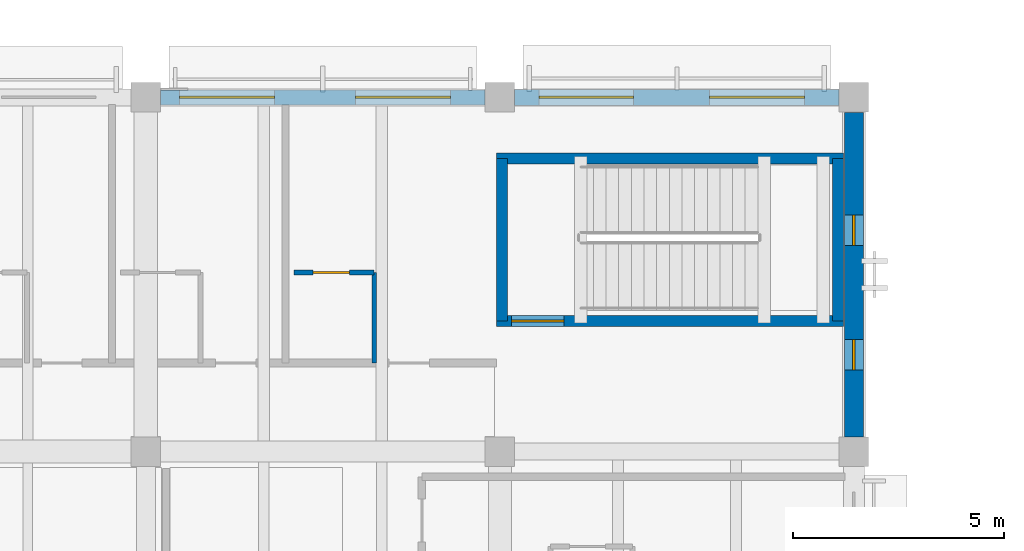
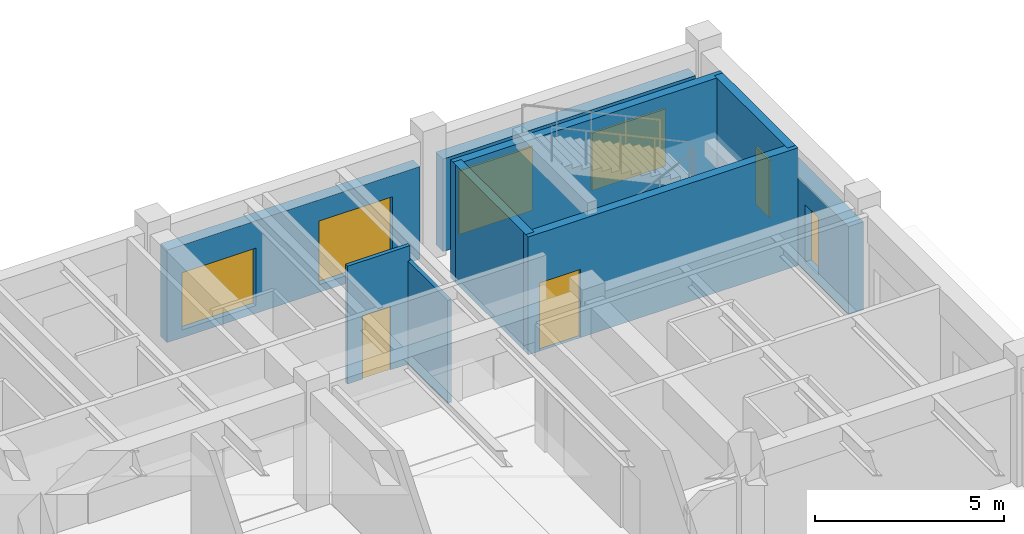
# One storey, part 98 of 132: 9 walls, 6 windows, 2 doors, 8 openings.
"""IFC4 building model written with IfcOpenShell, lengths in metres."""

from ifc_helpers import new_model, si_unit, direction, frame, frame_2d, origin, place, context, subcontext, project, spatial, rectangle, extrude, material, layer, layer_set, type_object, element, fill, save


model = new_model("IFC4")

# Units and contexts
model_context = context("Model", 3, precision=1e-05, world=origin(), true_north=direction((0.0, 1.0)))
body_context = subcontext(model_context, "Body", "Model", "MODEL_VIEW")
ifc_project = project(units=[si_unit("LENGTHUNIT", "METRE"), si_unit("AREAUNIT", "SQUARE_METRE"), si_unit("VOLUMEUNIT", "CUBIC_METRE"), si_unit("PLANEANGLEUNIT", "RADIAN"), si_unit("MASSUNIT", "GRAM", prefix="KILO")], contexts=[model_context])

# Site, building, storey
site_placement = place(None, origin())
site = spatial("IfcSite", under=ifc_project, at=site_placement, CompositionType="ELEMENT")
building_placement = place(site_placement, origin())
building = spatial("IfcBuilding", under=site, at=building_placement, Name="Cumbredor Promenade Congress Hotel", CompositionType="ELEMENT")
storey_placement = place(building_placement, frame((0.0, 0.0, 7.56005859375)))
storey = spatial("IfcBuildingStorey", under=building, at=storey_placement, Name="L02", CompositionType="ELEMENT", Elevation=7.56005859375)

# Wall, opening, door
ifc_material_1 = material(Name="Moisture-resistant gypsum board on steel studs", Category="steel")
ifc_layer_1 = layer(ifc_material_1, 0.114990234375, Name="Moisture-resistant gypsum board on steel studs", Category="steel")
ifc_layer_set_1 = layer_set([ifc_layer_1], Name="Moisture-resistant gypsum board on steel studs")
wall_type_1 = type_object("IfcWallType", Name="WL-BATH-115", PredefinedType="PARTITIONING", material=ifc_layer_set_1)
wall_1_placement = place(storey_placement, frame((163.1201171875, 113.449951171875, 0.0), z_axis=(0.0, 0.0, 1.0), x_axis=(1.0, 0.0, 0.0)))
wall_1 = element("IfcWall", 1, at=wall_1_placement, inside=storey, type_object=wall_type_1, Name="L02 Interior Partition W-L02-FBH-F0212", PredefinedType="PARTITIONING", context=body_context, shape_type="SweptSolid", body=[
    extrude(rectangle(XDim=1.89990234375, YDim=0.114990234375, at=frame_2d((0.949951171875, 0.0))), origin(), (0.0, 0.0, 1.0), 3.800048828125),
])
opening_1_placement = place(wall_1_placement, frame((0.449951171875, 0.0, 0.0)))
opening_1 = element("IfcOpeningElement", 2, at=opening_1_placement, cuts=wall_1, Name="Opening ID-01", PredefinedType="OPENING", context=body_context, shape_type="SweptSolid", body=[
    extrude(rectangle(XDim=0.860107421875, YDim=2.050048828125, at=frame_2d((0.43017578125, 1.02490234375))), frame((0.0, 0.0673828125, 0.0), z_axis=(0.0, -1.0, 0.0), x_axis=(1.0, 0.0, 0.0)), (0.0, 0.0, 1.0), 0.135009765625),
])
ifc_material_2 = material(Name="Kiln-dried tropical hardwood", Category="wood")
door_type_1 = type_object("IfcDoorType", Name="DR-BATH-860", OperationType="NOTDEFINED", PredefinedType="DOOR", material=ifc_material_2)
door_1_placement = place(opening_1_placement, origin())
door_1 = element("IfcDoor", 3, at=door_1_placement, inside=storey, type_object=door_type_1, Name="L02 Interior Door W-L02-FBH-F0212-01", OperationType="SINGLE_SWING_LEFT", OverallHeight=2.050048828125, OverallWidth=0.860107421875, PredefinedType="DOOR", context=body_context, shape_type="SweptSolid", body=[
    extrude(rectangle(XDim=0.860107421875, YDim=2.050048828125, at=frame_2d((0.43017578125, 1.02490234375))), frame((0.0, 0.02490234375, 0.0), z_axis=(0.0, -1.0, 0.0), x_axis=(1.0, 0.0, 0.0)), (0.0, 0.0, 1.0), 0.050048828125),
])
fill(opening_1, door_1)

# Wall
wall_2_placement = place(storey_placement, frame((165.02001953125, 111.300048828125, 0.0), z_axis=(0.0, 0.0, 1.0), x_axis=(0.0, 1.0, 0.0)))
element("IfcWall", 4, at=wall_2_placement, inside=storey, type_object=wall_type_1, Name="L02 Interior Partition W-L02-FBV-F0212", PredefinedType="PARTITIONING", context=body_context, shape_type="SweptSolid", body=[
    extrude(rectangle(XDim=2.14990234375, YDim=0.114990234375, at=frame_2d((1.074951171875, 0.0))), origin(), (0.0, 0.0, 1.0), 3.322021484375),
])

# Wall, openings, windows
ifc_material_3 = material(Name="Concrete C40/50", Category="concrete")
ifc_layer_2 = layer(ifc_material_3, 0.35009765625, Name="Concrete C40/50", Category="concrete")
ifc_layer_set_2 = layer_set([ifc_layer_2], Name="Concrete C40/50")
wall_type_2 = type_object("IfcWallType", Name="WL-EXT-350", PredefinedType="SOLIDWALL", material=ifc_layer_set_2)
wall_3_placement = place(storey_placement, frame((159.950927734375, 117.60009765625, 0.0), z_axis=(0.0, 0.0, 1.0), x_axis=(1.0, 0.0, 0.0)))
wall_3 = element("IfcWall", 5, at=wall_3_placement, inside=storey, type_object=wall_type_2, Name="L02 Pre-Function and Breakout Meeting Forum North Envelope Wall 9", PredefinedType="SOLIDWALL", context=body_context, shape_type="SweptSolid", body=[
    extrude(rectangle(XDim=7.697998046875, YDim=0.35009765625, at=frame_2d((3.84912109375, 0.0))), origin(), (0.0, 0.0, 1.0), 2.98486328125),
])
opening_2_placement = place(wall_3_placement, frame((0.4541015625, 0.0, 0.25)))
opening_2 = element("IfcOpeningElement", 6, at=opening_2_placement, cuts=wall_3, Name="Opening WN-01", PredefinedType="OPENING", context=body_context, shape_type="SweptSolid", body=[
    extrude(rectangle(XDim=2.25, YDim=1.85009765625, at=frame_2d((1.125, 0.925048828125))), frame((0.0, 0.18505859375, 0.0), z_axis=(0.0, -1.0, 0.0), x_axis=(1.0, 0.0, 0.0)), (0.0, 0.0, 1.0), 0.3701171875),
])
opening_3_placement = place(wall_3_placement, frame((4.6240234375, 0.0, 0.25)))
opening_3 = element("IfcOpeningElement", 7, at=opening_3_placement, cuts=wall_3, Name="Opening WN-13", PredefinedType="OPENING", context=body_context, shape_type="SweptSolid", body=[
    extrude(rectangle(XDim=2.25, YDim=2.050048828125, at=frame_2d((1.125, 1.02490234375))), frame((0.0, 0.18505859375, 0.0), z_axis=(0.0, -1.0, 0.0), x_axis=(1.0, 0.0, 0.0)), (0.0, 0.0, 1.0), 0.3701171875),
])
ifc_material_4 = material(Name="Thermally broken anodized aluminium and low-E glass", Category="aluminium")
window_type_1 = type_object("IfcWindowType", Name="Hospitality Floor-to-Ceiling Window WN-01 2250x1850", PartitioningType="DOUBLE_PANEL_VERTICAL", PredefinedType="WINDOW", material=ifc_material_4)
window_1_placement = place(opening_2_placement, origin())
window_1 = element("IfcWindow", 8, at=window_1_placement, inside=storey, type_object=window_type_1, Name="L02 Wide Hospitality Window 0282", OverallHeight=1.85009765625, OverallWidth=2.25, PartitioningType="DOUBLE_PANEL_VERTICAL", PredefinedType="WINDOW", context=body_context, shape_type="SweptSolid", body=[
    extrude(rectangle(XDim=2.25, YDim=1.85009765625, at=frame_2d((1.125, 0.925048828125))), frame((0.0, 0.030029296875, 0.0), z_axis=(0.0, -1.0, 0.0), x_axis=(1.0, 0.0, 0.0)), (0.0, 0.0, 1.0), 0.06005859375),
])
fill(opening_2, window_1)
window_type_2 = type_object("IfcWindowType", Name="Hospitality Floor-to-Ceiling Window WN-13 2250x2050", PartitioningType="DOUBLE_PANEL_VERTICAL", PredefinedType="WINDOW", material=ifc_material_4)
window_2_placement = place(opening_3_placement, origin())
window_2 = element("IfcWindow", 9, at=window_2_placement, inside=storey, type_object=window_type_2, Name="L02 Wide Hospitality Window 0283", OverallHeight=2.050048828125, OverallWidth=2.25, PartitioningType="DOUBLE_PANEL_VERTICAL", PredefinedType="WINDOW", context=body_context, shape_type="SweptSolid", body=[
    extrude(rectangle(XDim=2.25, YDim=2.050048828125, at=frame_2d((1.125, 1.02490234375))), frame((0.0, 0.030029296875, 0.0), z_axis=(0.0, -1.0, 0.0), x_axis=(1.0, 0.0, 0.0)), (0.0, 0.0, 1.0), 0.06005859375),
])
fill(opening_3, window_2)

ifc_layer_3 = layer(ifc_material_3, 0.3798828125, Name="Concrete C40/50", Category="concrete")
ifc_layer_set_3 = layer_set([ifc_layer_3], Name="Concrete C40/50")
wall_type_3 = type_object("IfcWallType", Name="WL-EXT-380", PredefinedType="SOLIDWALL", material=ifc_layer_set_3)
wall_4_placement = place(storey_placement, frame((168.35107421875, 117.60009765625, 0.0), z_axis=(0.0, 0.0, 1.0), x_axis=(1.0, 0.0, 0.0)))
wall_4 = element("IfcWall", 10, at=wall_4_placement, inside=storey, type_object=wall_type_3, Name="L02 Pre-Function and Breakout Meeting Forum North Envelope Wall 10", PredefinedType="SOLIDWALL", context=body_context, shape_type="SweptSolid", body=[
    extrude(rectangle(XDim=7.697998046875, YDim=0.3798828125, at=frame_2d((3.84912109375, 0.0))), origin(), (0.0, 0.0, 1.0), 2.98486328125),
])
opening_4_placement = place(wall_4_placement, frame((0.573974609375, 0.0, 0.25)))
opening_4 = element("IfcOpeningElement", 11, at=opening_4_placement, cuts=wall_4, Name="Opening WN-13", PredefinedType="OPENING", context=body_context, shape_type="SweptSolid", body=[
    extrude(rectangle(XDim=2.25, YDim=2.050048828125, at=frame_2d((1.125, 1.02490234375))), frame((0.0, 0.199951171875, 0.0), z_axis=(0.0, -1.0, 0.0), x_axis=(1.0, 0.0, 0.0)), (0.0, 0.0, 1.0), 0.39990234375),
])
opening_5_placement = place(wall_4_placement, frame((4.6240234375, 0.0, 0.25)))
opening_5 = element("IfcOpeningElement", 12, at=opening_5_placement, cuts=wall_4, Name="Opening WN-01", PredefinedType="OPENING", context=body_context, shape_type="SweptSolid", body=[
    extrude(rectangle(XDim=2.25, YDim=1.85009765625, at=frame_2d((1.125, 0.925048828125))), frame((0.0, 0.199951171875, 0.0), z_axis=(0.0, -1.0, 0.0), x_axis=(1.0, 0.0, 0.0)), (0.0, 0.0, 1.0), 0.39990234375),
])
window_3_placement = place(opening_5_placement, origin())
window_3 = element("IfcWindow", 13, at=window_3_placement, inside=storey, type_object=window_type_1, Name="L02 Wide Hospitality Window 0285", OverallHeight=1.85009765625, OverallWidth=2.25, PartitioningType="DOUBLE_PANEL_VERTICAL", PredefinedType="WINDOW", context=body_context, shape_type="SweptSolid", body=[
    extrude(rectangle(XDim=2.25, YDim=1.85009765625, at=frame_2d((1.125, 0.925048828125))), frame((0.0, 0.030029296875, 0.0), z_axis=(0.0, -1.0, 0.0), x_axis=(1.0, 0.0, 0.0)), (0.0, 0.0, 1.0), 0.06005859375),
])
fill(opening_5, window_3)
window_4_placement = place(opening_4_placement, origin())
window_4 = element("IfcWindow", 14, at=window_4_placement, inside=storey, type_object=window_type_2, Name="L02 Wide Hospitality Window 0284", OverallHeight=2.050048828125, OverallWidth=2.25, PartitioningType="DOUBLE_PANEL_VERTICAL", PredefinedType="WINDOW", context=body_context, shape_type="SweptSolid", body=[
    extrude(rectangle(XDim=2.25, YDim=2.050048828125, at=frame_2d((1.125, 1.02490234375))), frame((0.0, 0.030029296875, 0.0), z_axis=(0.0, -1.0, 0.0), x_axis=(1.0, 0.0, 0.0)), (0.0, 0.0, 1.0), 0.06005859375),
])
fill(opening_4, window_4)

ifc_layer_4 = layer(ifc_material_3, 0.449951171875, Name="Concrete C40/50", Category="concrete")
ifc_layer_set_4 = layer_set([ifc_layer_4], Name="Concrete C40/50")
wall_type_4 = type_object("IfcWallType", Name="WL-EXT-450", PredefinedType="SOLIDWALL", material=ifc_layer_set_4)
wall_5_placement = place(storey_placement, frame((176.39990234375, 109.551025390625, 0.0), z_axis=(0.0, 0.0, 1.0), x_axis=(0.0, 1.0, 0.0)))
wall_5 = element("IfcWall", 15, at=wall_5_placement, inside=storey, type_object=wall_type_4, Name="L02 Pre-Function and Breakout Meeting Forum East Envelope Wall 4", PredefinedType="SOLIDWALL", context=body_context, shape_type="SweptSolid", body=[
    extrude(rectangle(XDim=7.697998046875, YDim=0.449951171875, at=frame_2d((3.84912109375, 0.0))), origin(), (0.0, 0.0, 1.0), 2.8349609375),
])
opening_6_placement = place(wall_5_placement, frame((1.589111328125, 0.0, 0.300048828125)))
opening_6 = element("IfcOpeningElement", 16, at=opening_6_placement, cuts=wall_5, Name="Opening WN-45", PredefinedType="OPENING", context=body_context, shape_type="SweptSolid", body=[
    extrude(rectangle(XDim=0.719970703125, YDim=1.85009765625, at=frame_2d((0.35986328125, 0.925048828125))), frame((0.0, 0.23486328125, 0.0), z_axis=(0.0, -1.0, 0.0), x_axis=(1.0, 0.0, 0.0)), (0.0, 0.0, 1.0), 0.469970703125),
])
opening_7_placement = place(wall_5_placement, frame((4.5390625, 0.0, 0.300048828125)))
opening_7 = element("IfcOpeningElement", 17, at=opening_7_placement, cuts=wall_5, Name="Opening WN-45", PredefinedType="OPENING", context=body_context, shape_type="SweptSolid", body=[
    extrude(rectangle(XDim=0.719970703125, YDim=1.85009765625, at=frame_2d((0.35986328125, 0.925048828125))), frame((0.0, 0.23486328125, 0.0), z_axis=(0.0, -1.0, 0.0), x_axis=(1.0, 0.0, 0.0)), (0.0, 0.0, 1.0), 0.469970703125),
])
window_type_3 = type_object("IfcWindowType", Name="Vertical Slot Window WN-45 720x1850", PartitioningType="SINGLE_PANEL", PredefinedType="WINDOW", material=ifc_material_4)
window_5_placement = place(opening_6_placement, origin())
window_5 = element("IfcWindow", 18, at=window_5_placement, inside=storey, type_object=window_type_3, Name="L02 Vertical Slot Window 0296", OverallHeight=1.85009765625, OverallWidth=0.719970703125, PartitioningType="SINGLE_PANEL", PredefinedType="WINDOW", context=body_context, shape_type="SweptSolid", body=[
    extrude(rectangle(XDim=0.719970703125, YDim=1.85009765625, at=frame_2d((0.35986328125, 0.925048828125))), frame((0.0, 0.030029296875, 0.0), z_axis=(0.0, -1.0, 0.0), x_axis=(1.0, 0.0, 0.0)), (0.0, 0.0, 1.0), 0.06005859375),
])
fill(opening_6, window_5)
window_6_placement = place(opening_7_placement, origin())
window_6 = element("IfcWindow", 19, at=window_6_placement, inside=storey, type_object=window_type_3, Name="L02 Vertical Slot Window 0297", OverallHeight=1.85009765625, OverallWidth=0.719970703125, PartitioningType="SINGLE_PANEL", PredefinedType="WINDOW", context=body_context, shape_type="SweptSolid", body=[
    extrude(rectangle(XDim=0.719970703125, YDim=1.85009765625, at=frame_2d((0.35986328125, 0.925048828125))), frame((0.0, 0.030029296875, 0.0), z_axis=(0.0, -1.0, 0.0), x_axis=(1.0, 0.0, 0.0)), (0.0, 0.0, 1.0), 0.06005859375),
])
fill(opening_7, window_6)

# Wall, opening, door
ifc_layer_5 = layer(ifc_material_3, 0.2548828125, Name="Concrete C40/50", Category="concrete")
ifc_layer_set_5 = layer_set([ifc_layer_5], Name="Concrete C40/50")
wall_type_5 = type_object("IfcWallType", Name="WL-SHAFT-250", PredefinedType="SOLIDWALL", material=ifc_layer_set_5)
wall_6_placement = place(storey_placement, frame((167.922607421875, 112.300048828125, 0.0), z_axis=(0.0, 0.0, 1.0), x_axis=(1.0, 0.0, 0.0)))
wall_6 = element("IfcWall", 20, at=wall_6_placement, inside=storey, type_object=wall_type_5, Name="STAIR-ST-16-L02 Shaft Wall South", PredefinedType="SOLIDWALL", context=body_context, shape_type="SweptSolid", body=[
    extrude(rectangle(XDim=8.224853515625, YDim=0.2548828125, at=frame_2d((4.1123046875, 0.0))), origin(), (0.0, 0.0, 1.0), 3.800048828125),
])
opening_8_placement = place(wall_6_placement, frame((0.35009765625, 0.0, 0.0)))
opening_8 = element("IfcOpeningElement", 21, at=opening_8_placement, cuts=wall_6, Name="Opening SD-02", PredefinedType="OPENING", context=body_context, shape_type="SweptSolid", body=[
    extrude(rectangle(XDim=1.25, YDim=2.199951171875, at=frame_2d((0.625, 1.10009765625))), frame((0.0, 0.137451171875, 0.0), z_axis=(0.0, -1.0, 0.0), x_axis=(1.0, 0.0, 0.0)), (0.0, 0.0, 1.0), 0.27490234375),
])
ifc_material_5 = material(Name="Painted galvanized steel fire door", Category="steel")
door_type_2 = type_object("IfcDoorType", Name="DR-STAIR-FD90-1250", OperationType="NOTDEFINED", PredefinedType="DOOR", material=ifc_material_5)
door_2_placement = place(opening_8_placement, origin())
door_2 = element("IfcDoor", 22, at=door_2_placement, inside=storey, type_object=door_type_2, Name="L02 Protected Exit Stair ST-16 Door", OperationType="SINGLE_SWING_RIGHT", OverallHeight=2.199951171875, OverallWidth=1.25, PredefinedType="DOOR", context=body_context, shape_type="SweptSolid", body=[
    extrude(rectangle(XDim=1.25, YDim=2.199951171875, at=frame_2d((0.625, 1.10009765625))), frame((0.0, 0.02490234375, 0.0), z_axis=(0.0, -1.0, 0.0), x_axis=(1.0, 0.0, 0.0)), (0.0, 0.0, 1.0), 0.050048828125),
])
fill(opening_8, door_2)

# Walls
wall_7_placement = place(storey_placement, frame((167.922607421875, 116.14990234375, 0.0), z_axis=(0.0, 0.0, 1.0), x_axis=(1.0, 0.0, 0.0)))
element("IfcWall", 23, at=wall_7_placement, inside=storey, type_object=wall_type_5, Name="STAIR-ST-16-L02 Shaft Wall North", PredefinedType="SOLIDWALL", context=body_context, shape_type="SweptSolid", body=[
    extrude(rectangle(XDim=8.224853515625, YDim=0.2548828125, at=frame_2d((4.1123046875, 0.0))), origin(), (0.0, 0.0, 1.0), 3.800048828125),
])
for number, where, z_axis, x_axis, name in (
    (24, (168.050048828125, 112.300048828125, 0.0), (0.0, 0.0, 1.0), (0.0, 1.0, 0.0), "STAIR-ST-16-L02 Shaft Wall West"),
    (25, (176.02001953125, 112.300048828125, 0.0), (0.0, 0.0, 1.0), (0.0, 1.0, 0.0), "STAIR-ST-16-L02 Shaft Wall East"),
):
    element("IfcWall", number, at=place(storey_placement, frame(where, z_axis=z_axis, x_axis=x_axis)), inside=storey, type_object=wall_type_5, Name=name, PredefinedType="SOLIDWALL", context=body_context, shape_type="SweptSolid", body=[
        extrude(rectangle(XDim=3.849853515625, YDim=0.2548828125, at=frame_2d((1.9248046875, 0.0))), origin(), (0.0, 0.0, 1.0), 3.800048828125),
    ])

save(model, "model.ifc")
